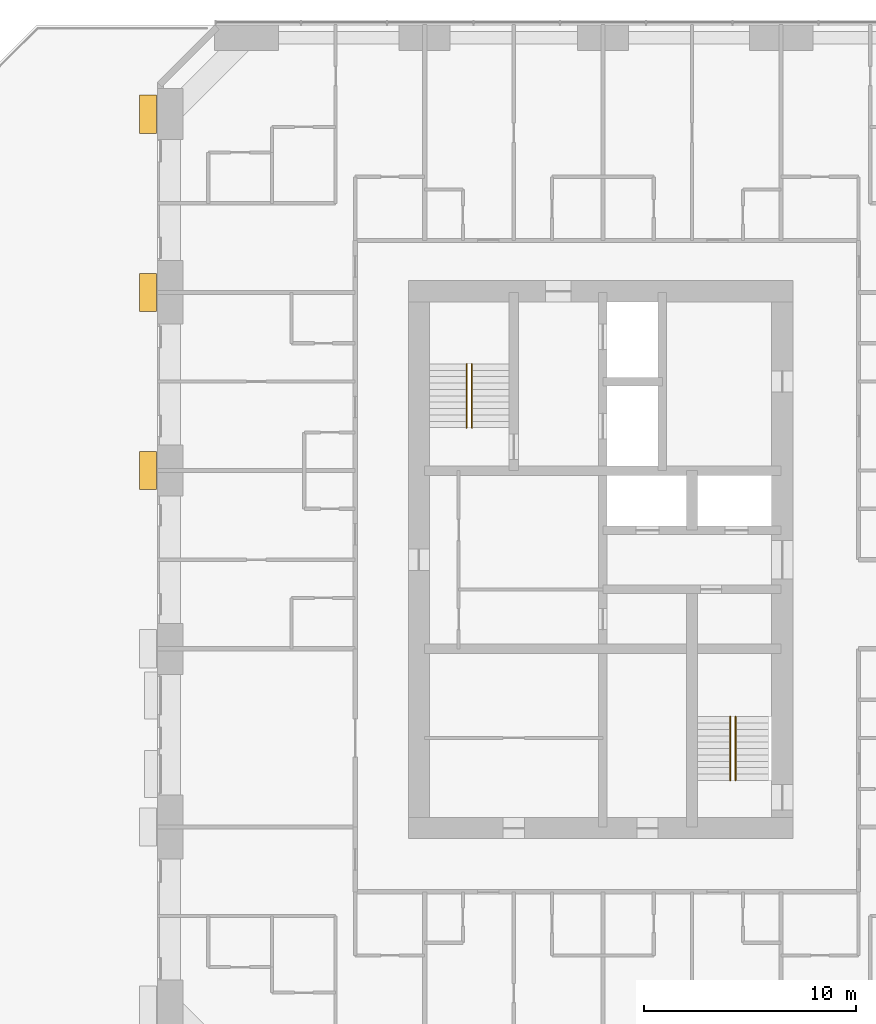
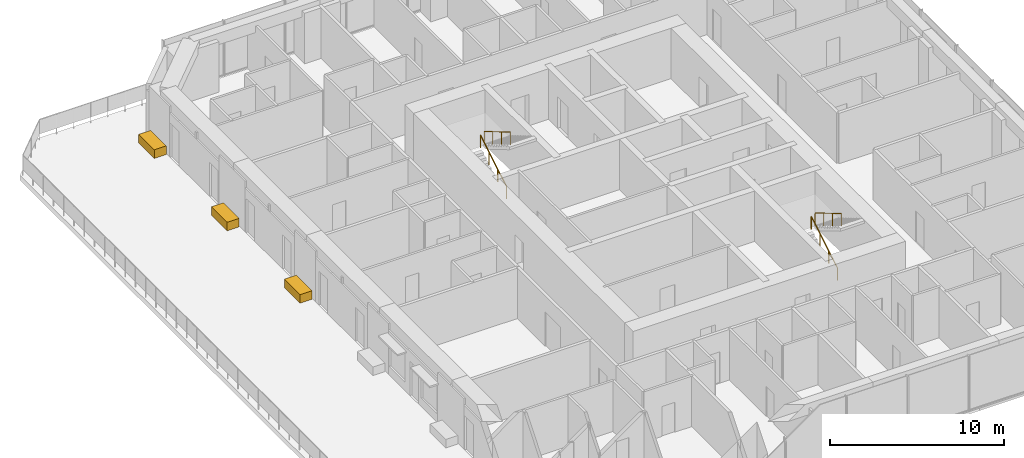
# One storey, part 13 of 13: 4 railings, 3 coverings.
"""IFC4 building model written with IfcOpenShell, lengths in metres."""

import ifcopenshell
import ifcopenshell.guid

model = None  # the IFC model being written
_history = None  # IfcOwnerHistory: only IFC2X3 demands one
_inside = {}  # id of a spatial element -> (the spatial element, [elements in it])
_under = {}  # id of a project, library or spatial element -> (it, [spatial elements below it])
_declared = {}  # id of a project -> (the project, [libraries it declares])
_typed = {}  # id of a type object -> (the type object, [elements of that type])
_made_of = {}  # id of a material, layer set ... -> (it, [elements and type objects made of it])


def new_model(schema):
    """Start an empty IFC model of exactly this schema.

    Asked for "IFC4X3", IfcOpenShell would pick the latest addendum, in which some entities
    have other attributes; the version numbers below select the first issue.
    IFC2X3 requires an IfcOwnerHistory on every rooted entity: one is made here for all.
    """
    global model, _history
    if schema == "IFC4X3":
        model = ifcopenshell.file(schema_version=(4, 3, 0, 0))
    else:
        model = ifcopenshell.file(schema=schema)
    _inside.clear()
    _under.clear()
    _declared.clear()
    _typed.clear()
    _made_of.clear()
    _history = None
    if model.schema == "IFC2X3":
        org = make("IfcOrganization", Name="unknown")
        user = make(
            "IfcPersonAndOrganization",
            ThePerson=make("IfcPerson", FamilyName="unknown"),
            TheOrganization=org,
        )
        app = make(
            "IfcApplication",
            ApplicationDeveloper=org,
            Version="unknown",
            ApplicationFullName="unknown",
            ApplicationIdentifier="unknown",
        )
        _history = make(
            "IfcOwnerHistory",
            OwningUser=user,
            OwningApplication=app,
            ChangeAction="ADDED",
            CreationDate=0,
        )
    return model


def make(cls, **values):
    """One entity of the class cls with the attributes given. An attribute that is None is left unset."""
    return model.create_entity(
        cls, **{name: value for name, value in values.items() if value is not None}
    )


def rooted(cls, **values):
    """An entity with a GlobalId (a new one), such as an element, a storey or a relation."""
    return make(cls, GlobalId=ifcopenshell.guid.new(), OwnerHistory=_history, **values)


def si_unit(unit_type, name, prefix=None):
    """IfcSIUnit, for example si_unit("LENGTHUNIT", "METRE", prefix="MILLI")."""
    return make("IfcSIUnit", UnitType=unit_type, Prefix=prefix, Name=name)


def assignment(units):
    """IfcUnitAssignment: the units of a project."""
    return None if units is None else make("IfcUnitAssignment", Units=units)


def point(xyz):
    """IfcCartesianPoint."""
    return None if xyz is None else make("IfcCartesianPoint", Coordinates=xyz)


def direction(xyz):
    """IfcDirection."""
    return None if xyz is None else make("IfcDirection", DirectionRatios=xyz)


def frame(location, z_axis=None, x_axis=None):
    """IfcAxis2Placement3D, a coordinate frame: its origin and axes. An axis left out is left unset."""
    return make(
        "IfcAxis2Placement3D",
        Location=point(location),
        Axis=direction(z_axis),
        RefDirection=direction(x_axis),
    )


def frame_2d(location, x_axis=None):
    """IfcAxis2Placement2D, a coordinate frame in the plane: its origin and x axis."""
    return make(
        "IfcAxis2Placement2D", Location=point(location), RefDirection=direction(x_axis)
    )


def origin():
    """The frame at (0, 0, 0) with its axes left unset."""
    return frame((0.0, 0.0, 0.0))


def origin_2d():
    """The frame at (0, 0) in the plane with its x axis left unset."""
    return frame_2d((0.0, 0.0))


def place(relative_to, where):
    """IfcLocalPlacement: puts the frame where relative to a parent placement (None: the world)."""
    return make(
        "IfcLocalPlacement", PlacementRelTo=relative_to, RelativePlacement=where
    )


def context(
    kind, dimensions, precision=None, world=None, true_north=None, identifier=None
):
    """IfcGeometricRepresentationContext, for example the 3D "Model" context."""
    return make(
        "IfcGeometricRepresentationContext",
        ContextIdentifier=identifier,
        ContextType=kind,
        CoordinateSpaceDimension=dimensions,
        Precision=precision,
        WorldCoordinateSystem=world,
        TrueNorth=true_north,
    )


def subcontext(parent, identifier, kind, view, scale=None):
    """IfcGeometricRepresentationSubContext, for example "Body" below "Model"."""
    return make(
        "IfcGeometricRepresentationSubContext",
        ContextIdentifier=identifier,
        ContextType=kind,
        ParentContext=parent,
        TargetScale=scale,
        TargetView=view,
    )


def project(units=None, contexts=None):
    """IfcProject with its units and contexts."""
    return rooted(
        "IfcProject",
        Name="project",
        RepresentationContexts=contexts,
        UnitsInContext=assignment(units),
    )


def spatial(cls, under=None, at=None, **own):
    """A site, building, storey or space (cls), placed at a placement, below another one or the project."""
    s = rooted(cls, ObjectPlacement=at, **own)
    if under is not None:
        _under.setdefault(under.id(), (under, []))[1].append(s)
    return s


def profile(cls, at=None, kind="AREA", **sizes):
    """A parametric profile (cls). Its sizes go by their IFC names, for example OverallWidth=200.0."""
    return make(cls, ProfileType=kind, Position=at, **sizes)


def rectangle(**sizes):
    """IfcRectangleProfileDef."""
    return profile("IfcRectangleProfileDef", **sizes)


def circle(**sizes):
    """IfcCircleProfileDef."""
    return profile("IfcCircleProfileDef", **sizes)


def extrude(swept, where, along, depth):
    """IfcExtrudedAreaSolid: the profile swept, set in the frame where, extruded along a direction by depth."""
    return make(
        "IfcExtrudedAreaSolid",
        SweptArea=swept,
        Position=where,
        ExtrudedDirection=direction(along),
        Depth=depth,
    )


def shape(context_of_items, identifier, shape_type, items):
    """IfcShapeRepresentation: the items that make up one representation, for example the "Body"."""
    return make(
        "IfcShapeRepresentation",
        ContextOfItems=context_of_items,
        RepresentationIdentifier=identifier,
        RepresentationType=shape_type,
        Items=items,
    )


def material(Name=None, Category=None):
    """IfcMaterial."""
    return make("IfcMaterial", Name=Name, Category=Category)


def made_of(thing, what):
    """Note that an element or type object is made of a material, layer set ...; save() writes the relation."""
    if what is not None:
        _made_of.setdefault(what.id(), (what, []))[1].append(thing)
    return thing


def type_object(cls, material=None, **own):
    """A type object (cls), such as IfcWallType, which elements share."""
    return made_of(rooted(cls, **own), material)


def element(
    cls,
    number,
    at=None,
    inside=None,
    cuts=None,
    type_object=None,
    material=None,
    context=None,
    identifier="Body",
    shape_type=None,
    held_by="IfcProductDefinitionShape",
    body=None,
    shapes=None,
    **own,
):
    """One element of the class cls, such as IfcWall. Its Tag is "e" and its number.

    at: its placement. inside: the storey or other place that contains it. cuts: it is an
    opening in that element (IfcRelVoidsElement). A single representation is given by context,
    identifier, shape_type and body (its items); several are given by shapes. held_by: the class
    of the entity that holds the representations. save() writes the other relations.
    """
    e = rooted(cls, Tag="e%d" % number, ObjectPlacement=at, **own)
    if body is not None:
        shapes = [shape(context, identifier, shape_type, body)]
    if shapes is not None:
        e.Representation = make(held_by, Representations=shapes)
    if inside is not None:
        _inside.setdefault(inside.id(), (inside, []))[1].append(e)
    if cuts is not None:
        rooted(
            "IfcRelVoidsElement", RelatingBuildingElement=cuts, RelatedOpeningElement=e
        )
    if type_object is not None:
        _typed.setdefault(type_object.id(), (type_object, []))[1].append(e)
    return made_of(e, material)


def aggregate(whole, parts):
    """IfcRelAggregates: a whole, such as a stair, and the parts it consists of."""
    return rooted("IfcRelAggregates", RelatingObject=whole, RelatedObjects=parts)


def save(model, path):
    """Write the relations noted so far, then the file.

    IfcRelAggregates (storeys below a building ...), IfcRelContainedInSpatialStructure (elements
    in a storey), IfcRelDefinesByType, IfcRelAssociatesMaterial and IfcRelDeclares: one each for
    every whole, place, type object, material and project.
    """
    for whole, parts in _under.values():
        aggregate(whole, parts)
    for where, things in _inside.values():
        rooted(
            "IfcRelContainedInSpatialStructure",
            RelatedElements=things,
            RelatingStructure=where,
        )
    for kind, things in _typed.values():
        rooted("IfcRelDefinesByType", RelatedObjects=things, RelatingType=kind)
    for what, things in _made_of.values():
        rooted("IfcRelAssociatesMaterial", RelatedObjects=things, RelatingMaterial=what)
    for by, libraries in _declared.values():
        rooted("IfcRelDeclares", RelatingContext=by, RelatedDefinitions=libraries)
    model.write(path)


model = new_model("IFC4")

# Units and contexts
model_context = context("Model", 3, precision=1e-05, world=origin(), true_north=direction((0.0, 1.0)))
body_context = subcontext(model_context, "Body", "Model", "MODEL_VIEW")
ifc_project = project(units=[si_unit("LENGTHUNIT", "METRE"), si_unit("AREAUNIT", "SQUARE_METRE"), si_unit("VOLUMEUNIT", "CUBIC_METRE"), si_unit("PLANEANGLEUNIT", "RADIAN"), si_unit("MASSUNIT", "GRAM", prefix="KILO")], contexts=[model_context])

# Site, building, storey
site_placement = place(None, origin())
site = spatial("IfcSite", under=ifc_project, at=site_placement, CompositionType="ELEMENT")
building_placement = place(site_placement, origin())
building = spatial("IfcBuilding", under=site, at=building_placement, Name="Dunama Terrace Hotel", CompositionType="ELEMENT")
storey_placement = place(building_placement, frame((0.0, 0.0, 225.60009765625)))
storey = spatial("IfcBuildingStorey", under=building, at=storey_placement, Name="L58", CompositionType="ELEMENT", Elevation=225.60009765625)

# Railings
ifc_material_1 = material(Name="Stainless steel handrail", Category="steel")
railing_type = type_object("IfcRailingType", Name="Stair handrail 900", PredefinedType="HANDRAIL", material=ifc_material_1)
railing_1_placement = place(storey_placement, frame((27.175048828125, 35.625, 0.17724609375)))
element("IfcRailing", 1, at=railing_1_placement, inside=storey, type_object=railing_type, Name="Handrail ST1 L58", PredefinedType="HANDRAIL", context=body_context, shape_type="SweptSolid", body=[
    extrude(circle(Radius=0.02392578125, at=origin_2d()), frame((0.0, 0.0, 0.8759765625), z_axis=(0.0, 0.86092931783, 0.508724591208), x_axis=(-1.0, 0.0, 0.0)), (0.0, 0.0, 1.0), 3.484619140625),
    extrude(circle(Radius=0.02099609375, at=origin_2d()), origin(), (0.0, 0.0, 1.0), 0.851806640625),
    extrude(circle(Radius=0.02099609375, at=origin_2d()), frame((0.0, 1.0, 0.5908203125)), (0.0, 0.0, 1.0), 0.851806640625),
    extrude(circle(Radius=0.02099609375, at=origin_2d()), frame((0.0, 2.0, 1.181884765625)), (0.0, 0.0, 1.0), 0.851806640625),
    extrude(circle(Radius=0.02099609375, at=origin_2d()), frame((0.0, 3.0, 1.772705078125)), (0.0, 0.0, 1.0), 0.851806640625),
])
railing_2_placement = place(storey_placement, frame((27.425048828125, 38.625, 2.127197265625)))
element("IfcRailing", 2, at=railing_2_placement, inside=storey, type_object=railing_type, Name="Handrail ST1 L58", PredefinedType="HANDRAIL", context=body_context, shape_type="SweptSolid", body=[
    extrude(circle(Radius=0.02392578125, at=origin_2d()), frame((0.0, 0.0, 0.8759765625), z_axis=(0.0, -0.86092931783, 0.508724591208), x_axis=(1.0, 0.0, 0.0)), (0.0, 0.0, 1.0), 3.484619140625),
    extrude(circle(Radius=0.02099609375, at=origin_2d()), origin(), (0.0, 0.0, 1.0), 0.851806640625),
    extrude(circle(Radius=0.02099609375, at=origin_2d()), frame((0.0, -1.0, 0.5908203125)), (0.0, 0.0, 1.0), 0.851806640625),
    extrude(circle(Radius=0.02099609375, at=origin_2d()), frame((0.0, -2.0, 1.181884765625)), (0.0, 0.0, 1.0), 0.851806640625),
    extrude(circle(Radius=0.02099609375, at=origin_2d()), frame((0.0, -3.0, 1.772705078125)), (0.0, 0.0, 1.0), 0.851806640625),
])
railing_3_placement = place(storey_placement, frame((39.60009765625, 19.0, 0.17724609375)))
element("IfcRailing", 3, at=railing_3_placement, inside=storey, type_object=railing_type, Name="Handrail ST2 L58", PredefinedType="HANDRAIL", context=body_context, shape_type="SweptSolid", body=[
    extrude(circle(Radius=0.02392578125, at=origin_2d()), frame((0.0, 0.0, 0.8759765625), z_axis=(0.0, 0.86092931783, 0.508724591208), x_axis=(-1.0, 0.0, 0.0)), (0.0, 0.0, 1.0), 3.484619140625),
    extrude(circle(Radius=0.02099609375, at=origin_2d()), origin(), (0.0, 0.0, 1.0), 0.851806640625),
    extrude(circle(Radius=0.02099609375, at=origin_2d()), frame((0.0, 1.0, 0.5908203125)), (0.0, 0.0, 1.0), 0.851806640625),
    extrude(circle(Radius=0.02099609375, at=origin_2d()), frame((0.0, 2.0, 1.181884765625)), (0.0, 0.0, 1.0), 0.851806640625),
    extrude(circle(Radius=0.02099609375, at=origin_2d()), frame((0.0, 3.0, 1.772705078125)), (0.0, 0.0, 1.0), 0.851806640625),
])
railing_4_placement = place(storey_placement, frame((39.85009765625, 22.0, 2.127197265625)))
element("IfcRailing", 4, at=railing_4_placement, inside=storey, type_object=railing_type, Name="Handrail ST2 L58", PredefinedType="HANDRAIL", context=body_context, shape_type="SweptSolid", body=[
    extrude(circle(Radius=0.02392578125, at=origin_2d()), frame((0.0, 0.0, 0.8759765625), z_axis=(0.0, -0.86092931783, 0.508724591208), x_axis=(1.0, 0.0, 0.0)), (0.0, 0.0, 1.0), 3.484619140625),
    extrude(circle(Radius=0.02099609375, at=origin_2d()), origin(), (0.0, 0.0, 1.0), 0.851806640625),
    extrude(circle(Radius=0.02099609375, at=origin_2d()), frame((0.0, -1.0, 0.5908203125)), (0.0, 0.0, 1.0), 0.851806640625),
    extrude(circle(Radius=0.02099609375, at=origin_2d()), frame((0.0, -2.0, 1.181884765625)), (0.0, 0.0, 1.0), 0.851806640625),
    extrude(circle(Radius=0.02099609375, at=origin_2d()), frame((0.0, -3.0, 1.772705078125)), (0.0, 0.0, 1.0), 0.851806640625),
])

# Coverings
ifc_material_2 = material(Name="Precast concrete planter", Category="concrete")
covering_type = type_object("IfcCoveringType", Name="Terrace planter 600", PredefinedType="USERDEFINED", material=ifc_material_2)
for number, where, z_axis, x_axis, name in (
    (5, (12.14990234375, 33.60009765625, -0.000244140625), (0.0, 0.0, 1.0), (1.0, 0.0, 0.0), "Terrace planter L58"),
    (6, (12.14990234375, 42.0, -0.000244140625), (0.0, 0.0, 1.0), (1.0, 0.0, 0.0), "Terrace planter L58"),
    (7, (12.14990234375, 50.39990234375, -0.000244140625), (0.0, 0.0, 1.0), (1.0, 0.0, 0.0), "Terrace planter L58"),
):
    element("IfcCovering", number, at=place(storey_placement, frame(where, z_axis=z_axis, x_axis=x_axis)), inside=storey, type_object=covering_type, Name=name, ObjectType="PLANTER", PredefinedType="USERDEFINED", context=body_context, shape_type="SweptSolid", body=[
        extrude(rectangle(XDim=0.800048828125, YDim=1.800048828125, at=origin_2d()), origin(), (0.0, 0.0, 1.0), 0.60009765625),
    ])

save(model, "model.ifc")
